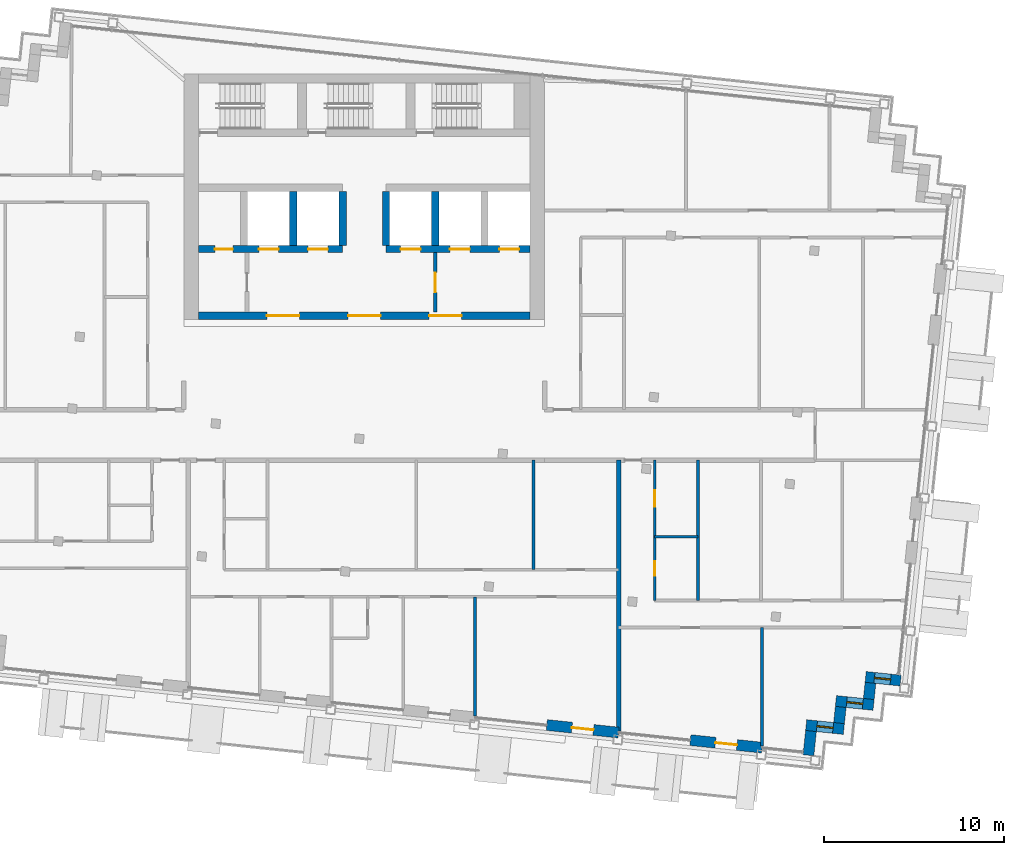
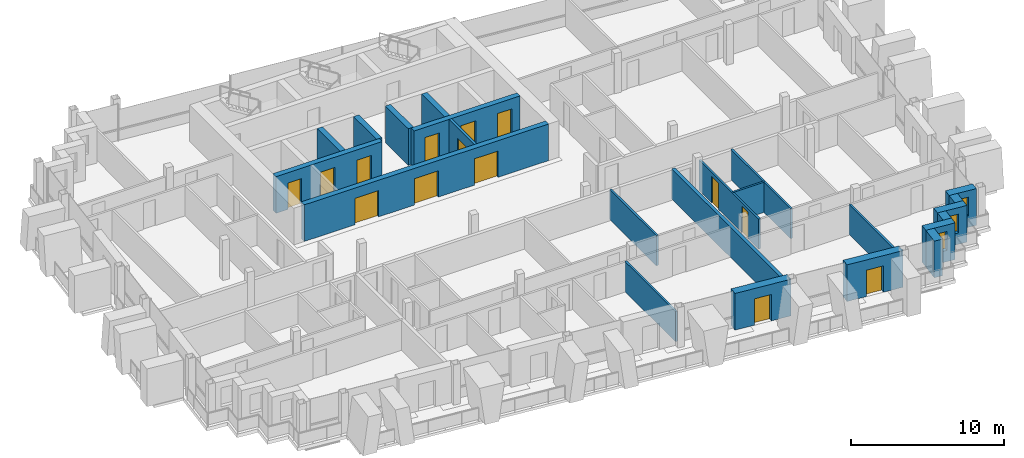
# One storey, part 10 of 16: 23 walls, 14 doors, 3 windows, 17 openings.
"""IFC4 building model written with IfcOpenShell, lengths in metres."""

from ifc_helpers import new_model, si_unit, direction, frame, frame_2d, origin, place, context, subcontext, project, spatial, rectangle, extrude, material, layer, layer_set, type_object, element, fill, save


model = new_model("IFC4")

# Units and contexts
model_context = context("Model", 3, precision=1e-05, world=origin(), true_north=direction((0.0, 1.0)))
body_context = subcontext(model_context, "Body", "Model", "MODEL_VIEW")
ifc_project = project(units=[si_unit("LENGTHUNIT", "METRE"), si_unit("AREAUNIT", "SQUARE_METRE"), si_unit("VOLUMEUNIT", "CUBIC_METRE"), si_unit("PLANEANGLEUNIT", "RADIAN"), si_unit("MASSUNIT", "GRAM", prefix="KILO")], contexts=[model_context])

# Site, building, storey
site_placement = place(None, origin())
site = spatial("IfcSite", under=ifc_project, at=site_placement, CompositionType="ELEMENT")
building_placement = place(site_placement, origin())
building = spatial("IfcBuilding", under=site, at=building_placement, Name="Vidyagriha Tower", CompositionType="ELEMENT")
storey_placement = place(building_placement, frame((0.0, 0.0, 253.10009765625)))
storey = spatial("IfcBuildingStorey", under=building, at=storey_placement, Name="L65", CompositionType="ELEMENT", Elevation=253.10009765625)

# Wall, opening, door
ifc_material_1 = material(Name="Precast concrete C40/50 with brick facing", Category="concrete")
ifc_layer_1 = layer(ifc_material_1, 0.60009765625)
ifc_layer_set_1 = layer_set([ifc_layer_1], Name="Precast concrete C40/50 with brick facing")
wall_type_1 = type_object("IfcWallType", Name="Brick-faced precast wall 600", PredefinedType="STANDARD", material=ifc_layer_set_1)
wall_1_placement = place(storey_placement, frame((10.1201171875, -16.085205078125, 0.0), z_axis=(0.0, 0.0, 1.0), x_axis=(0.994519156568, -0.104554517933, 0.0)))
wall_1 = element("IfcWall", 1, at=wall_1_placement, inside=storey, type_object=wall_type_1, Name="Brick door bay wall L65 R21.9", PredefinedType="STANDARD", context=body_context, shape_type="SweptSolid", body=[
    extrude(rectangle(XDim=4.0, YDim=0.60009765625, at=frame_2d((2.0, 0.0))), origin(), (0.0, 0.0, 1.0), 2.919921875),
])
opening_1_placement = place(wall_1_placement, frame((1.39990234375, 0.0, 0.0)))
opening_1 = element("IfcOpeningElement", 2, at=opening_1_placement, cuts=wall_1, Name="Opening D65-58", PredefinedType="OPENING", context=body_context, shape_type="SweptSolid", body=[
    extrude(rectangle(XDim=1.199951171875, YDim=2.10009765625, at=frame_2d((0.60009765625, 1.050048828125))), frame((0.0, 0.31005859375, 0.0), z_axis=(0.0, -1.0, 0.0), x_axis=(1.0, 0.0, 0.0)), (0.0, 0.0, 1.0), 0.6201171875),
])
ifc_material_2 = material(Name="Aluminium framed glazed sliding door", Category="aluminium")
door_type_1 = type_object("IfcDoorType", Name="Balcony sliding door 1200x2100", OperationType="NOTDEFINED", PredefinedType="DOOR", material=ifc_material_2)
door_1_placement = place(opening_1_placement, origin())
door_1 = element("IfcDoor", 3, at=door_1_placement, inside=storey, type_object=door_type_1, Name="Door D65-58", OperationType="SLIDING_TO_LEFT", OverallHeight=2.10009765625, OverallWidth=1.199951171875, PredefinedType="DOOR", context=body_context, shape_type="SweptSolid", body=[
    extrude(rectangle(XDim=1.199951171875, YDim=2.10009765625, at=frame_2d((0.60009765625, 1.050048828125))), frame((0.0, 0.02490234375, 0.0), z_axis=(0.0, -1.0, 0.0), x_axis=(1.0, 0.0, 0.0)), (0.0, 0.0, 1.0), 0.050048828125),
])
fill(opening_1, door_1)

wall_2_placement = place(storey_placement, frame((18.076171875, -16.92138671875, 0.0), z_axis=(0.0, 0.0, 1.0), x_axis=(0.994519156568, -0.104554517933, 0.0)))
wall_2 = element("IfcWall", 4, at=wall_2_placement, inside=storey, type_object=wall_type_1, Name="Brick door bay wall L65 R21.11", PredefinedType="STANDARD", context=body_context, shape_type="SweptSolid", body=[
    extrude(rectangle(XDim=4.0, YDim=0.60009765625, at=frame_2d((2.0, 0.0))), origin(), (0.0, 0.0, 1.0), 2.919921875),
])
opening_2_placement = place(wall_2_placement, frame((1.39990234375, 0.0, 0.0)))
opening_2 = element("IfcOpeningElement", 5, at=opening_2_placement, cuts=wall_2, Name="Opening D65-59", PredefinedType="OPENING", context=body_context, shape_type="SweptSolid", body=[
    extrude(rectangle(XDim=1.199951171875, YDim=2.10009765625, at=frame_2d((0.60009765625, 1.050048828125))), frame((0.0, 0.31005859375, 0.0), z_axis=(0.0, -1.0, 0.0), x_axis=(1.0, 0.0, 0.0)), (0.0, 0.0, 1.0), 0.6201171875),
])
door_2_placement = place(opening_2_placement, origin())
door_2 = element("IfcDoor", 6, at=door_2_placement, inside=storey, type_object=door_type_1, Name="Door D65-59", OperationType="SLIDING_TO_LEFT", OverallHeight=2.10009765625, OverallWidth=1.199951171875, PredefinedType="DOOR", context=body_context, shape_type="SweptSolid", body=[
    extrude(rectangle(XDim=1.199951171875, YDim=2.10009765625, at=frame_2d((0.60009765625, 1.050048828125))), frame((0.0, 0.02490234375, 0.0), z_axis=(0.0, -1.0, 0.0), x_axis=(1.0, 0.0, 0.0)), (0.0, 0.0, 1.0), 0.050048828125),
])
fill(opening_2, door_2)

# Wall
wall_3_placement = place(storey_placement, frame((24.62451171875, -17.760498046875, 0.0), z_axis=(0.0, 0.0, 1.0), x_axis=(0.104355269718, 0.994540083497, 0.0)))
element("IfcWall", 7, at=wall_3_placement, inside=storey, type_object=wall_type_1, Name="Stepped corner wall L65 R22", PredefinedType="STANDARD", context=body_context, shape_type="SweptSolid", body=[
    extrude(rectangle(XDim=1.349853515625, YDim=0.60009765625, at=frame_2d((0.6748046875, 0.0))), origin(), (0.0, 0.0, 1.0), 2.919921875),
])

# Wall, opening, window
wall_4_placement = place(storey_placement, frame((24.49853515625, -16.088134765625, 0.0), z_axis=(0.0, 0.0, 1.0), x_axis=(0.994522640205, -0.104521376379, 0.0)))
wall_4 = element("IfcWall", 8, at=wall_4_placement, inside=storey, type_object=wall_type_1, Name="Stepped corner wall L65 R23", PredefinedType="STANDARD", context=body_context, shape_type="SweptSolid", body=[
    extrude(rectangle(XDim=2.099853515625, YDim=0.60009765625, at=frame_2d((1.0498046875, 0.0))), origin(), (0.0, 0.0, 1.0), 2.919921875),
])
opening_3_placement = place(wall_4_placement, frame((0.60009765625, 0.0, 0.89990234375)))
opening_3 = element("IfcOpeningElement", 9, at=opening_3_placement, cuts=wall_4, Name="Opening WN1", PredefinedType="OPENING", context=body_context, shape_type="SweptSolid", body=[
    extrude(rectangle(XDim=0.89990234375, YDim=1.5, at=frame_2d((0.449951171875, 0.75))), frame((0.0, 0.31005859375, 0.0), z_axis=(0.0, -1.0, 0.0), x_axis=(1.0, 0.0, 0.0)), (0.0, 0.0, 1.0), 0.6201171875),
])
ifc_material_3 = material(Name="Aluminium and glass window", Category="aluminium")
window_type = type_object("IfcWindowType", Name="Reveal window 900x1500", PartitioningType="NOTDEFINED", PredefinedType="WINDOW", material=ifc_material_3)
window_1_placement = place(opening_3_placement, origin())
window_1 = element("IfcWindow", 10, at=window_1_placement, inside=storey, type_object=window_type, Name="Reveal window L65 R23", OverallHeight=1.5, OverallWidth=0.89990234375, PartitioningType="SINGLE_PANEL", PredefinedType="WINDOW", context=body_context, shape_type="SweptSolid", body=[
    extrude(rectangle(XDim=0.89990234375, YDim=1.5, at=frame_2d((0.449951171875, 0.75))), frame((0.0, 0.030029296875, 0.0), z_axis=(0.0, -1.0, 0.0), x_axis=(1.0, 0.0, 0.0)), (0.0, 0.0, 1.0), 0.06005859375),
])
fill(opening_3, window_1)

# Wall
wall_5_placement = place(storey_placement, frame((26.320068359375, -15.97802734375, 0.0), z_axis=(0.0, 0.0, 1.0), x_axis=(0.104444712852, 0.994530694326, 0.0)))
element("IfcWall", 11, at=wall_5_placement, inside=storey, type_object=wall_type_1, Name="Stepped corner wall L65 R24", PredefinedType="STANDARD", context=body_context, shape_type="SweptSolid", body=[
    extrude(rectangle(XDim=0.89990234375, YDim=0.60009765625, at=frame_2d((0.449951171875, 0.0))), origin(), (0.0, 0.0, 1.0), 2.919921875),
])

# Wall, opening, window
wall_6_placement = place(storey_placement, frame((26.147216796875, -14.753173828125, 0.0), z_axis=(0.0, 0.0, 1.0), x_axis=(0.994522640205, -0.104521376379, 0.0)))
wall_6 = element("IfcWall", 12, at=wall_6_placement, inside=storey, type_object=wall_type_1, Name="Stepped corner wall L65 R25", PredefinedType="STANDARD", context=body_context, shape_type="SweptSolid", body=[
    extrude(rectangle(XDim=2.099853515625, YDim=0.60009765625, at=frame_2d((1.0498046875, 0.0))), origin(), (0.0, 0.0, 1.0), 2.919921875),
])
opening_4_placement = place(wall_6_placement, frame((0.599853515625, 0.0, 0.89990234375)))
opening_4 = element("IfcOpeningElement", 13, at=opening_4_placement, cuts=wall_6, Name="Opening WN1", PredefinedType="OPENING", context=body_context, shape_type="SweptSolid", body=[
    extrude(rectangle(XDim=0.89990234375, YDim=1.5, at=frame_2d((0.449951171875, 0.75))), frame((0.0, 0.31005859375, 0.0), z_axis=(0.0, -1.0, 0.0), x_axis=(1.0, 0.0, 0.0)), (0.0, 0.0, 1.0), 0.6201171875),
])
window_2_placement = place(opening_4_placement, origin())
window_2 = element("IfcWindow", 14, at=window_2_placement, inside=storey, type_object=window_type, Name="Reveal window L65 R25", OverallHeight=1.5, OverallWidth=0.89990234375, PartitioningType="SINGLE_PANEL", PredefinedType="WINDOW", context=body_context, shape_type="SweptSolid", body=[
    extrude(rectangle(XDim=0.89990234375, YDim=1.5, at=frame_2d((0.449951171875, 0.75))), frame((0.0, 0.030029296875, 0.0), z_axis=(0.0, -1.0, 0.0), x_axis=(1.0, 0.0, 0.0)), (0.0, 0.0, 1.0), 0.06005859375),
])
fill(opening_4, window_2)

# Wall
wall_7_placement = place(storey_placement, frame((27.968505859375, -14.64306640625, 0.0), z_axis=(0.0, 0.0, 1.0), x_axis=(0.104416541099, 0.994533652495, 0.0)))
element("IfcWall", 15, at=wall_7_placement, inside=storey, type_object=wall_type_1, Name="Stepped corner wall L65 R26", PredefinedType="STANDARD", context=body_context, shape_type="SweptSolid", body=[
    extrude(rectangle(XDim=0.900146484375, YDim=0.60009765625, at=frame_2d((0.4501953125, 0.0))), origin(), (0.0, 0.0, 1.0), 2.919921875),
])

# Wall, opening, window
wall_8_placement = place(storey_placement, frame((27.795654296875, -13.418212890625, 0.0), z_axis=(0.0, 0.0, 1.0), x_axis=(0.994519850893, -0.104547913319, 0.0)))
wall_8 = element("IfcWall", 16, at=wall_8_placement, inside=storey, type_object=wall_type_1, Name="Stepped corner wall L65 R27", PredefinedType="STANDARD", context=body_context, shape_type="SweptSolid", body=[
    extrude(rectangle(XDim=1.949951171875, YDim=0.60009765625, at=frame_2d((0.97509765625, 0.0))), origin(), (0.0, 0.0, 1.0), 2.919921875),
])
opening_5_placement = place(wall_8_placement, frame((0.489990234375, 0.0, 0.89990234375)))
opening_5 = element("IfcOpeningElement", 17, at=opening_5_placement, cuts=wall_8, Name="Opening WN1", PredefinedType="OPENING", context=body_context, shape_type="SweptSolid", body=[
    extrude(rectangle(XDim=0.89990234375, YDim=1.5, at=frame_2d((0.449951171875, 0.75))), frame((0.0, 0.31005859375, 0.0), z_axis=(0.0, -1.0, 0.0), x_axis=(1.0, 0.0, 0.0)), (0.0, 0.0, 1.0), 0.6201171875),
])
window_3_placement = place(opening_5_placement, origin())
window_3 = element("IfcWindow", 18, at=window_3_placement, inside=storey, type_object=window_type, Name="Reveal window L65 R27", OverallHeight=1.5, OverallWidth=0.89990234375, PartitioningType="SINGLE_PANEL", PredefinedType="WINDOW", context=body_context, shape_type="SweptSolid", body=[
    extrude(rectangle(XDim=0.89990234375, YDim=1.5, at=frame_2d((0.449951171875, 0.75))), frame((0.0, 0.030029296875, 0.0), z_axis=(0.0, -1.0, 0.0), x_axis=(1.0, 0.0, 0.0)), (0.0, 0.0, 1.0), 0.06005859375),
])
fill(opening_5, window_3)

# Wall, openings, doors
ifc_material_4 = material(Name="Concrete C60/75", Category="concrete")
ifc_layer_2 = layer(ifc_material_4, 0.39990234375)
ifc_layer_set_2 = layer_set([ifc_layer_2], Name="Concrete C60/75")
wall_type_2 = type_object("IfcWallType", Name="Core shear wall 400 mm", PredefinedType="SHEAR", material=ifc_layer_set_2)
wall_9_placement = place(storey_placement, frame((-9.199951171875, 6.60009765625, 0.0)))
wall_9 = element("IfcWall", 19, at=wall_9_placement, inside=storey, type_object=wall_type_2, Name="Core south wall", PredefinedType="SHEAR", context=body_context, shape_type="SweptSolid", body=[
    extrude(rectangle(XDim=18.39990234375, YDim=0.39990234375, at=frame_2d((9.199951171875, 0.0))), origin(), (0.0, 0.0, 1.0), 2.919921875),
])
opening_6_placement = place(wall_9_placement, frame((8.300048828125, 0.0, 0.0)))
opening_6 = element("IfcOpeningElement", 20, at=opening_6_placement, cuts=wall_9, Name="Opening D65-01", PredefinedType="OPENING", context=body_context, shape_type="SweptSolid", body=[
    extrude(rectangle(XDim=1.800048828125, YDim=2.10009765625, at=frame_2d((0.89990234375, 1.050048828125))), frame((0.0, 0.2099609375, 0.0), z_axis=(0.0, -1.0, 0.0), x_axis=(1.0, 0.0, 0.0)), (0.0, 0.0, 1.0), 0.419921875),
])
opening_7_placement = place(wall_9_placement, frame((3.800048828125, 0.0, 0.0)))
opening_7 = element("IfcOpeningElement", 21, at=opening_7_placement, cuts=wall_9, Name="Opening D65-02", PredefinedType="OPENING", context=body_context, shape_type="SweptSolid", body=[
    extrude(rectangle(XDim=1.800048828125, YDim=2.10009765625, at=frame_2d((0.89990234375, 1.050048828125))), frame((0.0, 0.2099609375, 0.0), z_axis=(0.0, -1.0, 0.0), x_axis=(1.0, 0.0, 0.0)), (0.0, 0.0, 1.0), 0.419921875),
])
opening_8_placement = place(wall_9_placement, frame((12.800048828125, 0.0, 0.0)))
opening_8 = element("IfcOpeningElement", 22, at=opening_8_placement, cuts=wall_9, Name="Opening D65-03", PredefinedType="OPENING", context=body_context, shape_type="SweptSolid", body=[
    extrude(rectangle(XDim=1.800048828125, YDim=2.10009765625, at=frame_2d((0.89990234375, 1.050048828125))), frame((0.0, 0.2099609375, 0.0), z_axis=(0.0, -1.0, 0.0), x_axis=(1.0, 0.0, 0.0)), (0.0, 0.0, 1.0), 0.419921875),
])
ifc_material_5 = material(Name="Hollow metal door leaf")
door_type_2 = type_object("IfcDoorType", Name="Core lobby double door 1800 x 2100 mm EI 60", OperationType="NOTDEFINED", PredefinedType="DOOR", material=ifc_material_5)
door_3_placement = place(opening_6_placement, frame((1.800048828125, 0.0, 0.0), z_axis=(0.0, 0.0, 1.0), x_axis=(-1.0, 0.0, 0.0)))
door_3 = element("IfcDoor", 23, at=door_3_placement, inside=storey, type_object=door_type_2, Name="Core entrance door L65", OperationType="DOUBLE_DOOR_SINGLE_SWING", OverallHeight=2.10009765625, OverallWidth=1.800048828125, PredefinedType="DOOR", context=body_context, shape_type="SweptSolid", body=[
    extrude(rectangle(XDim=1.800048828125, YDim=2.10009765625, at=frame_2d((0.89990234375, 1.050048828125))), frame((0.0, 0.02490234375, 0.0), z_axis=(0.0, -1.0, 0.0), x_axis=(1.0, 0.0, 0.0)), (0.0, 0.0, 1.0), 0.050048828125),
])
fill(opening_6, door_3)
door_4_placement = place(opening_7_placement, frame((1.800048828125, 0.0, 0.0), z_axis=(0.0, 0.0, 1.0), x_axis=(-1.0, 0.0, 0.0)))
door_4 = element("IfcDoor", 24, at=door_4_placement, inside=storey, type_object=door_type_2, Name="Core entrance door west L65", OperationType="DOUBLE_DOOR_SINGLE_SWING", OverallHeight=2.10009765625, OverallWidth=1.800048828125, PredefinedType="DOOR", context=body_context, shape_type="SweptSolid", body=[
    extrude(rectangle(XDim=1.800048828125, YDim=2.10009765625, at=frame_2d((0.89990234375, 1.050048828125))), frame((0.0, 0.02490234375, 0.0), z_axis=(0.0, -1.0, 0.0), x_axis=(1.0, 0.0, 0.0)), (0.0, 0.0, 1.0), 0.050048828125),
])
fill(opening_7, door_4)
door_5_placement = place(opening_8_placement, frame((1.800048828125, 0.0, 0.0), z_axis=(0.0, 0.0, 1.0), x_axis=(-1.0, 0.0, 0.0)))
door_5 = element("IfcDoor", 25, at=door_5_placement, inside=storey, type_object=door_type_2, Name="Core entrance door east L65", OperationType="DOUBLE_DOOR_SINGLE_SWING", OverallHeight=2.10009765625, OverallWidth=1.800048828125, PredefinedType="DOOR", context=body_context, shape_type="SweptSolid", body=[
    extrude(rectangle(XDim=1.800048828125, YDim=2.10009765625, at=frame_2d((0.89990234375, 1.050048828125))), frame((0.0, 0.02490234375, 0.0), z_axis=(0.0, -1.0, 0.0), x_axis=(1.0, 0.0, 0.0)), (0.0, 0.0, 1.0), 0.050048828125),
])
fill(opening_8, door_5)

wall_10_placement = place(storey_placement, frame((-9.199951171875, 10.300048828125, 0.0)))
wall_10 = element("IfcWall", 26, at=wall_10_placement, inside=storey, type_object=wall_type_2, Name="Core row N front wall", PredefinedType="SHEAR", context=body_context, shape_type="SweptSolid", body=[
    extrude(rectangle(XDim=8.0, YDim=0.39990234375, at=frame_2d((4.0, 0.0))), origin(), (0.0, 0.0, 1.0), 2.919921875),
])
opening_9_placement = place(wall_10_placement, frame((3.35009765625, 0.0, 0.0)))
opening_9 = element("IfcOpeningElement", 27, at=opening_9_placement, cuts=wall_10, Name="Opening LD65-01", PredefinedType="OPENING", context=body_context, shape_type="SweptSolid", body=[
    extrude(rectangle(XDim=1.10009765625, YDim=2.10009765625, at=frame_2d((0.550048828125, 1.050048828125))), frame((0.0, 0.2099609375, 0.0), z_axis=(0.0, -1.0, 0.0), x_axis=(1.0, 0.0, 0.0)), (0.0, 0.0, 1.0), 0.419921875),
])
opening_10_placement = place(wall_10_placement, frame((6.083251953125, 0.0, 0.0)))
opening_10 = element("IfcOpeningElement", 28, at=opening_10_placement, cuts=wall_10, Name="Opening LD65-02", PredefinedType="OPENING", context=body_context, shape_type="SweptSolid", body=[
    extrude(rectangle(XDim=1.10009765625, YDim=2.10009765625, at=frame_2d((0.550048828125, 1.050048828125))), frame((0.0, 0.2099609375, 0.0), z_axis=(0.0, -1.0, 0.0), x_axis=(1.0, 0.0, 0.0)), (0.0, 0.0, 1.0), 0.419921875),
])
opening_11_placement = place(wall_10_placement, frame((0.916748046875, 0.0, 0.0)))
opening_11 = element("IfcOpeningElement", 29, at=opening_11_placement, cuts=wall_10, Name="Opening D65-04", PredefinedType="OPENING", context=body_context, shape_type="SweptSolid", body=[
    extrude(rectangle(XDim=1.0, YDim=2.10009765625, at=frame_2d((0.5, 1.050048828125))), frame((0.0, 0.2099609375, 0.0), z_axis=(0.0, -1.0, 0.0), x_axis=(1.0, 0.0, 0.0)), (0.0, 0.0, 1.0), 0.419921875),
])
ifc_material_6 = material(Name="Hollow metal door leaf")
door_type_3 = type_object("IfcDoorType", Name="Core room door 1000 x 2100 mm EI 60", OperationType="NOTDEFINED", PredefinedType="DOOR", material=ifc_material_6)
door_6_placement = place(opening_11_placement, frame((1.0, 0.0, 0.0), z_axis=(0.0, 0.0, 1.0), x_axis=(-1.0, 0.0, 0.0)))
door_6 = element("IfcDoor", 30, at=door_6_placement, inside=storey, type_object=door_type_3, Name="Door Communications Room 65.14", OperationType="SINGLE_SWING_RIGHT", OverallHeight=2.10009765625, OverallWidth=1.0, PredefinedType="DOOR", context=body_context, shape_type="SweptSolid", body=[
    extrude(rectangle(XDim=1.0, YDim=2.10009765625, at=frame_2d((0.5, 1.050048828125))), frame((0.0, 0.02490234375, 0.0), z_axis=(0.0, -1.0, 0.0), x_axis=(1.0, 0.0, 0.0)), (0.0, 0.0, 1.0), 0.050048828125),
])
fill(opening_11, door_6)
ifc_material_7 = material(Name="Stainless steel sliding door panel", Category="steel")
door_type_4 = type_object("IfcDoorType", Name="Lift landing door 1100 x 2100 mm EI 90", OperationType="NOTDEFINED", PredefinedType="DOOR", material=ifc_material_7)
door_7_placement = place(opening_9_placement, origin())
door_7 = element("IfcDoor", 31, at=door_7_placement, inside=storey, type_object=door_type_4, Name="Landing door HR1 L65", OperationType="SLIDING_TO_LEFT", OverallHeight=2.10009765625, OverallWidth=1.10009765625, PredefinedType="DOOR", context=body_context, shape_type="SweptSolid", body=[
    extrude(rectangle(XDim=1.10009765625, YDim=2.10009765625, at=frame_2d((0.550048828125, 1.050048828125))), frame((0.0, 0.02490234375, 0.0), z_axis=(0.0, -1.0, 0.0), x_axis=(1.0, 0.0, 0.0)), (0.0, 0.0, 1.0), 0.050048828125),
])
fill(opening_9, door_7)
door_8_placement = place(opening_10_placement, origin())
door_8 = element("IfcDoor", 32, at=door_8_placement, inside=storey, type_object=door_type_4, Name="Landing door HR2 L65", OperationType="SLIDING_TO_LEFT", OverallHeight=2.10009765625, OverallWidth=1.10009765625, PredefinedType="DOOR", context=body_context, shape_type="SweptSolid", body=[
    extrude(rectangle(XDim=1.10009765625, YDim=2.10009765625, at=frame_2d((0.550048828125, 1.050048828125))), frame((0.0, 0.02490234375, 0.0), z_axis=(0.0, -1.0, 0.0), x_axis=(1.0, 0.0, 0.0)), (0.0, 0.0, 1.0), 0.050048828125),
])
fill(opening_10, door_8)

wall_11_placement = place(storey_placement, frame((1.199951171875, 10.300048828125, 0.0)))
wall_11 = element("IfcWall", 33, at=wall_11_placement, inside=storey, type_object=wall_type_2, Name="Core row N front wall", PredefinedType="SHEAR", context=body_context, shape_type="SweptSolid", body=[
    extrude(rectangle(XDim=8.0, YDim=0.39990234375, at=frame_2d((4.0, 0.0))), origin(), (0.0, 0.0, 1.0), 2.919921875),
])
opening_12_placement = place(wall_11_placement, frame((0.816650390625, 0.0, 0.0)))
opening_12 = element("IfcOpeningElement", 34, at=opening_12_placement, cuts=wall_11, Name="Opening LD65-03", PredefinedType="OPENING", context=body_context, shape_type="SweptSolid", body=[
    extrude(rectangle(XDim=1.10009765625, YDim=2.10009765625, at=frame_2d((0.550048828125, 1.050048828125))), frame((0.0, 0.2099609375, 0.0), z_axis=(0.0, -1.0, 0.0), x_axis=(1.0, 0.0, 0.0)), (0.0, 0.0, 1.0), 0.419921875),
])
opening_13_placement = place(wall_11_placement, frame((3.550048828125, 0.0, 0.0)))
opening_13 = element("IfcOpeningElement", 35, at=opening_13_placement, cuts=wall_11, Name="Opening LD65-04", PredefinedType="OPENING", context=body_context, shape_type="SweptSolid", body=[
    extrude(rectangle(XDim=1.10009765625, YDim=2.10009765625, at=frame_2d((0.550048828125, 1.050048828125))), frame((0.0, 0.2099609375, 0.0), z_axis=(0.0, -1.0, 0.0), x_axis=(1.0, 0.0, 0.0)), (0.0, 0.0, 1.0), 0.419921875),
])
opening_14_placement = place(wall_11_placement, frame((6.283203125, 0.0, 0.0)))
opening_14 = element("IfcOpeningElement", 36, at=opening_14_placement, cuts=wall_11, Name="Opening LD65-05", PredefinedType="OPENING", context=body_context, shape_type="SweptSolid", body=[
    extrude(rectangle(XDim=1.10009765625, YDim=2.10009765625, at=frame_2d((0.550048828125, 1.050048828125))), frame((0.0, 0.2099609375, 0.0), z_axis=(0.0, -1.0, 0.0), x_axis=(1.0, 0.0, 0.0)), (0.0, 0.0, 1.0), 0.419921875),
])
door_9_placement = place(opening_12_placement, origin())
door_9 = element("IfcDoor", 37, at=door_9_placement, inside=storey, type_object=door_type_4, Name="Landing door HR3 L65", OperationType="SLIDING_TO_LEFT", OverallHeight=2.10009765625, OverallWidth=1.10009765625, PredefinedType="DOOR", context=body_context, shape_type="SweptSolid", body=[
    extrude(rectangle(XDim=1.10009765625, YDim=2.10009765625, at=frame_2d((0.550048828125, 1.050048828125))), frame((0.0, 0.02490234375, 0.0), z_axis=(0.0, -1.0, 0.0), x_axis=(1.0, 0.0, 0.0)), (0.0, 0.0, 1.0), 0.050048828125),
])
fill(opening_12, door_9)
door_10_placement = place(opening_13_placement, origin())
door_10 = element("IfcDoor", 38, at=door_10_placement, inside=storey, type_object=door_type_4, Name="Landing door FF1 L65", OperationType="SLIDING_TO_LEFT", OverallHeight=2.10009765625, OverallWidth=1.10009765625, PredefinedType="DOOR", context=body_context, shape_type="SweptSolid", body=[
    extrude(rectangle(XDim=1.10009765625, YDim=2.10009765625, at=frame_2d((0.550048828125, 1.050048828125))), frame((0.0, 0.02490234375, 0.0), z_axis=(0.0, -1.0, 0.0), x_axis=(1.0, 0.0, 0.0)), (0.0, 0.0, 1.0), 0.050048828125),
])
fill(opening_13, door_10)
door_11_placement = place(opening_14_placement, origin())
door_11 = element("IfcDoor", 39, at=door_11_placement, inside=storey, type_object=door_type_4, Name="Landing door FF2 L65", OperationType="SLIDING_TO_LEFT", OverallHeight=2.10009765625, OverallWidth=1.10009765625, PredefinedType="DOOR", context=body_context, shape_type="SweptSolid", body=[
    extrude(rectangle(XDim=1.10009765625, YDim=2.10009765625, at=frame_2d((0.550048828125, 1.050048828125))), frame((0.0, 0.02490234375, 0.0), z_axis=(0.0, -1.0, 0.0), x_axis=(1.0, 0.0, 0.0)), (0.0, 0.0, 1.0), 0.050048828125),
])
fill(opening_14, door_11)

# Walls
for number, where, z_axis, x_axis, name in (
    (40, (-3.933349609375, 10.5, 0.0), (0.0, 0.0, 1.0), (0.0, 1.0, 0.0), "Core bay wall N2"),
    (41, (-1.199951171875, 10.5, 0.0), (0.0, 0.0, 1.0), (0.0, 1.0, 0.0), "Core bay wall N3"),
    (42, (1.199951171875, 10.5, 0.0), (0.0, 0.0, 1.0), (0.0, 1.0, 0.0), "Core bay wall N4"),
    (43, (3.933349609375, 10.5, 0.0), (0.0, 0.0, 1.0), (0.0, 1.0, 0.0), "Core bay wall N5"),
):
    element("IfcWall", number, at=place(storey_placement, frame(where, z_axis=z_axis, x_axis=x_axis)), inside=storey, type_object=wall_type_2, Name=name, PredefinedType="SHEAR", context=body_context, shape_type="SweptSolid", body=[
        extrude(rectangle(XDim=3.0, YDim=0.39990234375, at=frame_2d((1.5, 0.0))), origin(), (0.0, 0.0, 1.0), 2.919921875),
    ])
ifc_material_8 = material(Name="Fired clay brick masonry", Category="masonry")
ifc_layer_3 = layer(ifc_material_8, 0.25)
ifc_layer_set_3 = layer_set([ifc_layer_3], Name="Fired clay brick masonry")
wall_type_3 = type_object("IfcWallType", Name="Fired clay brick demising wall 250", PredefinedType="PARTITIONING", material=ifc_layer_set_3)
wall_12_placement = place(storey_placement, frame((14.097900390625, -1.39990234375, 0.0), z_axis=(0.0, 0.0, 1.0), x_axis=(0.0, -1.0, 0.0)))
element("IfcWall", 44, at=wall_12_placement, inside=storey, type_object=wall_type_3, Name="Wall all-L65-w055", PredefinedType="PARTITIONING", context=body_context, shape_type="SweptSolid", body=[
    extrude(rectangle(XDim=15.012939453125, YDim=0.25, at=frame_2d((7.50634765625, 0.0))), origin(), (0.0, 0.0, 1.0), 2.39990234375),
])
ifc_material_9 = material(Name="Gypsum board partition")
ifc_layer_4 = layer(ifc_material_9, 0.14990234375)
ifc_layer_set_4 = layer_set([ifc_layer_4], Name="Gypsum board partition")
wall_type_4 = type_object("IfcWallType", Name="Gypsum board partition 150", PredefinedType="PARTITIONING", material=ifc_layer_set_4)
wall_13_placement = place(storey_placement, frame((9.3798828125, -1.39990234375, 0.0), z_axis=(0.0, 0.0, 1.0), x_axis=(0.0, -1.0, 0.0)))
element("IfcWall", 45, at=wall_13_placement, inside=storey, type_object=wall_type_4, Name="Wall all-L65-w019", PredefinedType="PARTITIONING", context=body_context, shape_type="SweptSolid", body=[
    extrude(rectangle(XDim=6.07470703125, YDim=0.14990234375, at=frame_2d((3.037353515625, 0.0))), origin(), (0.0, 0.0, 1.0), 2.39990234375),
])
wall_14_placement = place(storey_placement, frame((6.141845703125, -8.974609375, 0.0), z_axis=(0.0, 0.0, 1.0), x_axis=(0.0, -1.0, 0.0)))
element("IfcWall", 46, at=wall_14_placement, inside=storey, type_object=wall_type_4, Name="Wall all-L65-w033", PredefinedType="PARTITIONING", context=body_context, shape_type="SweptSolid", body=[
    extrude(rectangle(XDim=6.60205078125, YDim=0.14990234375, at=frame_2d((3.301025390625, 0.0))), origin(), (0.0, 0.0, 1.0), 2.39990234375),
])
wall_15_placement = place(storey_placement, frame((18.498046875, -5.64990234375, 0.0), z_axis=(0.0, 0.0, 1.0), x_axis=(-1.0, 0.0, 0.0)))
element("IfcWall", 47, at=wall_15_placement, inside=storey, type_object=wall_type_4, Name="Wall all-L65-w042", PredefinedType="PARTITIONING", context=body_context, shape_type="SweptSolid", body=[
    extrude(rectangle(XDim=2.400146484375, YDim=0.14990234375, at=frame_2d((1.2001953125, 0.0))), origin(), (0.0, 0.0, 1.0), 2.39990234375),
])
wall_16_placement = place(storey_placement, frame((18.498046875, -1.39990234375, 0.0), z_axis=(0.0, 0.0, 1.0), x_axis=(0.0, -1.0, 0.0)))
element("IfcWall", 48, at=wall_16_placement, inside=storey, type_object=wall_type_4, Name="Wall all-L65-w043", PredefinedType="PARTITIONING", context=body_context, shape_type="SweptSolid", body=[
    extrude(rectangle(XDim=7.78173828125, YDim=0.14990234375, at=frame_2d((3.890869140625, 0.0))), origin(), (0.0, 0.0, 1.0), 2.39990234375),
])
wall_17_placement = place(storey_placement, frame((22.05419921875, -10.681640625, 0.0), z_axis=(0.0, 0.0, 1.0), x_axis=(0.0, -1.0, 0.0)))
element("IfcWall", 49, at=wall_17_placement, inside=storey, type_object=wall_type_4, Name="Wall all-L65-w053", PredefinedType="PARTITIONING", context=body_context, shape_type="SweptSolid", body=[
    extrude(rectangle(XDim=6.5673828125, YDim=0.14990234375, at=frame_2d((3.28369140625, 0.0))), origin(), (0.0, 0.0, 1.0), 2.39990234375),
])

# Wall, openings, doors
ifc_material_10 = material(Name="Moisture resistant gypsum board partition")
ifc_layer_5 = layer(ifc_material_10, 0.14990234375)
ifc_layer_set_5 = layer_set([ifc_layer_5], Name="Moisture resistant gypsum board partition")
wall_type_5 = type_object("IfcWallType", Name="Gypsum board wet-area partition 150", PredefinedType="PARTITIONING", material=ifc_layer_set_5)
wall_18_placement = place(storey_placement, frame((16.097900390625, -1.39990234375, 0.0), z_axis=(0.0, 0.0, 1.0), x_axis=(0.0, -1.0, 0.0)))
wall_18 = element("IfcWall", 50, at=wall_18_placement, inside=storey, type_object=wall_type_5, Name="Wall all-L65-w039", PredefinedType="PARTITIONING", context=body_context, shape_type="SweptSolid", body=[
    extrude(rectangle(XDim=7.78173828125, YDim=0.14990234375, at=frame_2d((3.890869140625, 0.0))), origin(), (0.0, 0.0, 1.0), 2.39990234375),
])
opening_15_placement = place(wall_18_placement, frame((1.675048828125, 0.0, 0.0)))
opening_15 = element("IfcOpeningElement", 51, at=opening_15_placement, cuts=wall_18, Name="Opening D65-28", PredefinedType="OPENING", context=body_context, shape_type="SweptSolid", body=[
    extrude(rectangle(XDim=0.89990234375, YDim=2.10009765625, at=frame_2d((0.449951171875, 1.050048828125))), frame((0.0, 0.0849609375, 0.0), z_axis=(0.0, -1.0, 0.0), x_axis=(1.0, 0.0, 0.0)), (0.0, 0.0, 1.0), 0.169921875),
])
opening_16_placement = place(wall_18_placement, frame((5.61572265625, 0.0, 0.0)))
opening_16 = element("IfcOpeningElement", 52, at=opening_16_placement, cuts=wall_18, Name="Opening D65-29", PredefinedType="OPENING", context=body_context, shape_type="SweptSolid", body=[
    extrude(rectangle(XDim=0.800048828125, YDim=2.10009765625, at=frame_2d((0.39990234375, 1.050048828125))), frame((0.0, 0.0849609375, 0.0), z_axis=(0.0, -1.0, 0.0), x_axis=(1.0, 0.0, 0.0)), (0.0, 0.0, 1.0), 0.169921875),
])
ifc_material_11 = material(Name="Timber door leaf", Category="wood")
door_type_5 = type_object("IfcDoorType", Name="Bathroom door 800x2100", OperationType="NOTDEFINED", PredefinedType="DOOR", material=ifc_material_11)
door_12_placement = place(opening_16_placement, origin())
door_12 = element("IfcDoor", 53, at=door_12_placement, inside=storey, type_object=door_type_5, Name="Door D65-29", OperationType="SINGLE_SWING_RIGHT", OverallHeight=2.10009765625, OverallWidth=0.800048828125, PredefinedType="DOOR", context=body_context, shape_type="SweptSolid", body=[
    extrude(rectangle(XDim=0.800048828125, YDim=2.10009765625, at=frame_2d((0.39990234375, 1.050048828125))), frame((0.0, 0.02490234375, 0.0), z_axis=(0.0, -1.0, 0.0), x_axis=(1.0, 0.0, 0.0)), (0.0, 0.0, 1.0), 0.050048828125),
])
fill(opening_16, door_12)
ifc_material_12 = material(Name="Timber door leaf", Category="wood")
door_type_6 = type_object("IfcDoorType", Name="Kitchen door 900x2100", OperationType="NOTDEFINED", PredefinedType="DOOR", material=ifc_material_12)
door_13_placement = place(opening_15_placement, origin())
door_13 = element("IfcDoor", 54, at=door_13_placement, inside=storey, type_object=door_type_6, Name="Door D65-28", OperationType="SINGLE_SWING_LEFT", OverallHeight=2.10009765625, OverallWidth=0.89990234375, PredefinedType="DOOR", context=body_context, shape_type="SweptSolid", body=[
    extrude(rectangle(XDim=0.89990234375, YDim=2.10009765625, at=frame_2d((0.449951171875, 1.050048828125))), frame((0.0, 0.02490234375, 0.0), z_axis=(0.0, -1.0, 0.0), x_axis=(1.0, 0.0, 0.0)), (0.0, 0.0, 1.0), 0.050048828125),
])
fill(opening_15, door_13)

# Wall, opening, door
ifc_material_13 = material(Name="Blockwork 15 MPa", Category="masonry")
ifc_layer_6 = layer(ifc_material_13, 0.199951171875)
ifc_layer_set_6 = layer_set([ifc_layer_6], Name="Blockwork 15 MPa")
wall_type_6 = type_object("IfcWallType", Name="Service room partition 200 mm", PredefinedType="PARTITIONING", material=ifc_layer_set_6)
wall_19_placement = place(storey_placement, frame((3.933349609375, 6.800048828125, 0.0), z_axis=(0.0, 0.0, 1.0), x_axis=(0.0, 1.0, 0.0)))
wall_19 = element("IfcWall", 55, at=wall_19_placement, inside=storey, type_object=wall_type_6, Name="Fire-fighting lobby west wall", PredefinedType="PARTITIONING", context=body_context, shape_type="SweptSolid", body=[
    extrude(rectangle(XDim=3.300048828125, YDim=0.199951171875, at=frame_2d((1.64990234375, 0.0))), origin(), (0.0, 0.0, 1.0), 2.919921875),
])
opening_17_placement = place(wall_19_placement, frame((1.10009765625, 0.0, 0.0)))
opening_17 = element("IfcOpeningElement", 56, at=opening_17_placement, cuts=wall_19, Name="Opening D65-05", PredefinedType="OPENING", context=body_context, shape_type="SweptSolid", body=[
    extrude(rectangle(XDim=1.10009765625, YDim=2.10009765625, at=frame_2d((0.550048828125, 1.050048828125))), frame((0.0, 0.10986328125, 0.0), z_axis=(0.0, -1.0, 0.0), x_axis=(1.0, 0.0, 0.0)), (0.0, 0.0, 1.0), 0.219970703125),
])
ifc_material_14 = material(Name="Hollow metal door leaf")
door_type_7 = type_object("IfcDoorType", Name="Fire-fighting lobby door 1100 x 2100 mm EI 90", OperationType="NOTDEFINED", PredefinedType="DOOR", material=ifc_material_14)
door_14_placement = place(opening_17_placement, origin())
door_14 = element("IfcDoor", 57, at=door_14_placement, inside=storey, type_object=door_type_7, Name="Fire-fighting lobby door L65", OperationType="SINGLE_SWING_RIGHT", OverallHeight=2.10009765625, OverallWidth=1.10009765625, PredefinedType="DOOR", context=body_context, shape_type="SweptSolid", body=[
    extrude(rectangle(XDim=1.10009765625, YDim=2.10009765625, at=frame_2d((0.550048828125, 1.050048828125))), frame((0.0, 0.02490234375, 0.0), z_axis=(0.0, -1.0, 0.0), x_axis=(1.0, 0.0, 0.0)), (0.0, 0.0, 1.0), 0.050048828125),
])
fill(opening_17, door_14)

save(model, "model.ifc")
